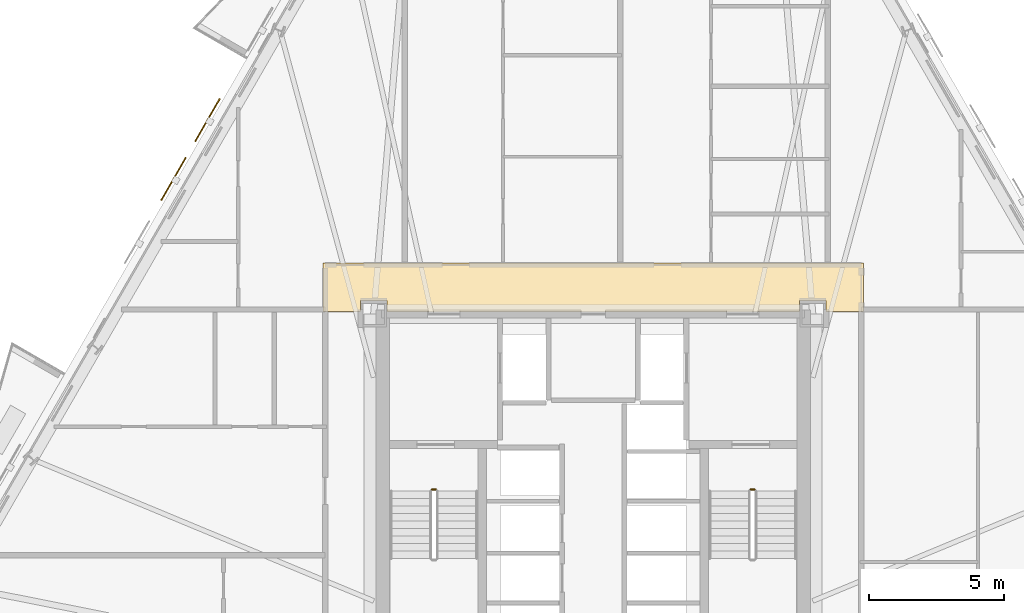
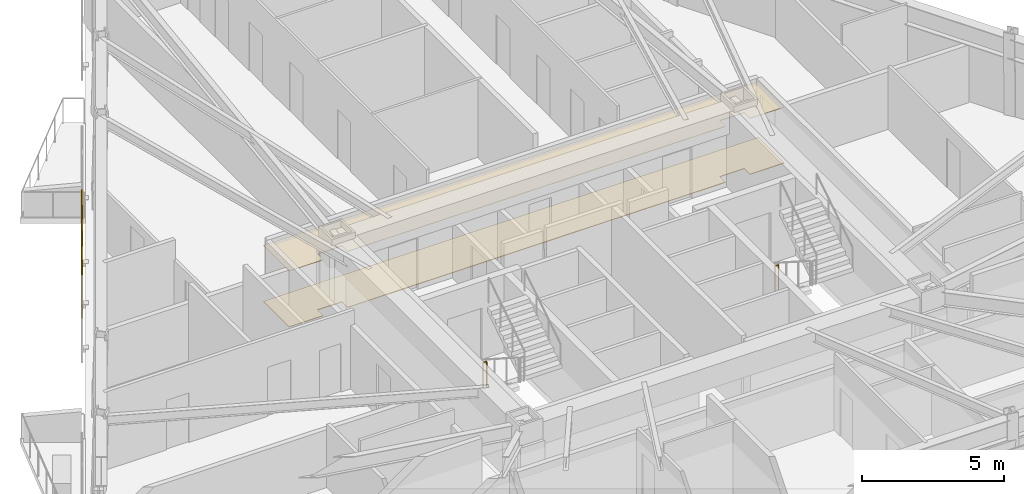
# One storey, part 9 of 10: 2 coverings, 2 railings, 2 shading devices.
"""IFC4 building model written with IfcOpenShell, lengths in metres."""

from ifc_helpers import new_model, si_unit, direction, frame, origin, origin_2d, place, context, subcontext, project, spatial, polyline, rectangle, circle, outline, extrude, material, layer, layer_set, type_object, element, save


model = new_model("IFC4")

# Units and contexts
model_context = context("Model", 3, precision=1e-05, world=origin(), true_north=direction((0.0, 1.0)))
body_context = subcontext(model_context, "Body", "Model", "MODEL_VIEW")
ifc_project = project(units=[si_unit("LENGTHUNIT", "METRE"), si_unit("AREAUNIT", "SQUARE_METRE"), si_unit("VOLUMEUNIT", "CUBIC_METRE"), si_unit("PLANEANGLEUNIT", "RADIAN"), si_unit("MASSUNIT", "GRAM", prefix="KILO")], contexts=[model_context])

# Site, building, storey
site_placement = place(None, origin())
site = spatial("IfcSite", under=ifc_project, at=site_placement, CompositionType="ELEMENT")
building_placement = place(site_placement, origin())
building = spatial("IfcBuilding", under=site, at=building_placement, Name="Oramaril Tower", CompositionType="ELEMENT")
storey_placement = place(building_placement, frame((0.0, 0.0, 74.10009765625)))
storey = spatial("IfcBuildingStorey", under=building, at=storey_placement, Name="L19", CompositionType="ELEMENT", Elevation=74.10009765625)

# Coverings
ifc_material_1 = material(Name="Mineral Fibre Acoustic Ceiling")
ifc_layer_1 = layer(ifc_material_1, 0.02001953125)
ifc_layer_set_1 = layer_set([ifc_layer_1], Name="CVT-CEIL")
covering_type_1 = type_object("IfcCoveringType", Name="CVT-CEIL", PredefinedType="CEILING", material=ifc_layer_set_1)
covering_1_placement = place(storey_placement, frame((0.0, 0.0, 2.39990234375)))
element("IfcCovering", 1, at=covering_1_placement, inside=storey, type_object=covering_type_1, Name="L19 Acoustic Suspended Ceiling 2", PredefinedType="CEILING", context=body_context, shape_type="SweptSolid", body=[
    extrude(outline(polyline([(47.530029296875, 24.239990234375), (46.14501953125, 24.239990234375), (46.14501953125, 24.64501953125), (45.155029296875, 24.64501953125), (45.155029296875, 24.25), (29.844970703125, 24.25), (29.844970703125, 24.64501953125), (28.85498046875, 24.64501953125), (28.85498046875, 24.239990234375), (27.469970703125, 24.239990234375), (27.469970703125, 26.050048828125), (47.530029296875, 26.050048828125), (47.530029296875, 24.239990234375)])), origin(), (0.0, 0.0, 1.0), 0.02001953125),
])
ifc_material_2 = material(Name="Honed Quartzite Stone Flooring", Category="masonry")
ifc_layer_2 = layer(ifc_material_2, 0.02490234375)
ifc_layer_set_2 = layer_set([ifc_layer_2], Name="CVT-FLR")
covering_type_2 = type_object("IfcCoveringType", Name="CVT-FLR", PredefinedType="FLOORING", material=ifc_layer_set_2)
covering_2_placement = place(storey_placement, origin())
element("IfcCovering", 2, at=covering_2_placement, inside=storey, type_object=covering_type_2, Name="L19 Honed Stone Floor Finish 2", PredefinedType="FLOORING", context=body_context, shape_type="SweptSolid", body=[
    extrude(outline(polyline([(47.530029296875, 24.239990234375), (46.14501953125, 24.239990234375), (46.14501953125, 24.64501953125), (45.155029296875, 24.64501953125), (45.155029296875, 24.25), (29.844970703125, 24.25), (29.844970703125, 24.64501953125), (28.85498046875, 24.64501953125), (28.85498046875, 24.239990234375), (27.469970703125, 24.239990234375), (27.469970703125, 26.050048828125), (47.530029296875, 26.050048828125), (47.530029296875, 24.239990234375)])), origin(), (0.0, 0.0, 1.0), 0.02490234375),
])

# Railings
ifc_material_3 = material(Name="Stainless Steel 316L", Category="steel")
railing_type = type_object("IfcRailingType", Name="RLT-GRD", PredefinedType="GUARDRAIL", material=ifc_material_3)
for number, where, name in (
    (3, (31.510009765625, 17.639892578125, 0.0), "L19 ST-1 stair guard 4"),
    (4, (43.340087890625, 17.639892578125, 0.0), "L19 ST-2 stair guard 4"),
):
    element("IfcRailing", number, at=place(storey_placement, frame(where)), inside=storey, type_object=railing_type, Name=name, PredefinedType="GUARDRAIL", context=body_context, shape_type="SweptSolid", body=[
        extrude(circle(Radius=0.02392578125, at=origin_2d()), frame((0.0, 0.0, 1.076171875), z_axis=(1.0, 0.0, 0.0), x_axis=(0.0, 1.0, 0.0)), (0.0, 0.0, 1.0), 0.14990234375),
        extrude(circle(Radius=0.02099609375, at=origin_2d()), origin(), (0.0, 0.0, 1.0), 1.052001953125),
        extrude(circle(Radius=0.02099609375, at=origin_2d()), frame((0.14990234375, 0.0, 0.0)), (0.0, 0.0, 1.0), 1.052001953125),
    ])

# Shading devices
for number, where, z_axis, x_axis, name in (
    (5, (23.181640625, 31.35107421875, -0.020263671875), (0.0, 0.0, 1.0), (-0.5, -0.866025403784, 0.0), "L19 Perforated Ceramic Solar Screen"),
    (6, (21.919677734375, 29.165283203125, -0.020263671875), (0.0, 0.0, 1.0), (-0.5, -0.866025403784, 0.0), "L19 Perforated Ceramic Solar Screen"),
):
    element("IfcShadingDevice", number, at=place(storey_placement, frame(where, z_axis=z_axis, x_axis=x_axis)), inside=storey, Name=name, ObjectType="SCREEN", PredefinedType="USERDEFINED", context=body_context, shape_type="SweptSolid", body=[
        extrude(rectangle(XDim=1.8330078125, YDim=0.050048828125, at=origin_2d()), origin(), (0.0, 0.0, 1.0), 2.47412109375),
    ])

save(model, "model.ifc")
